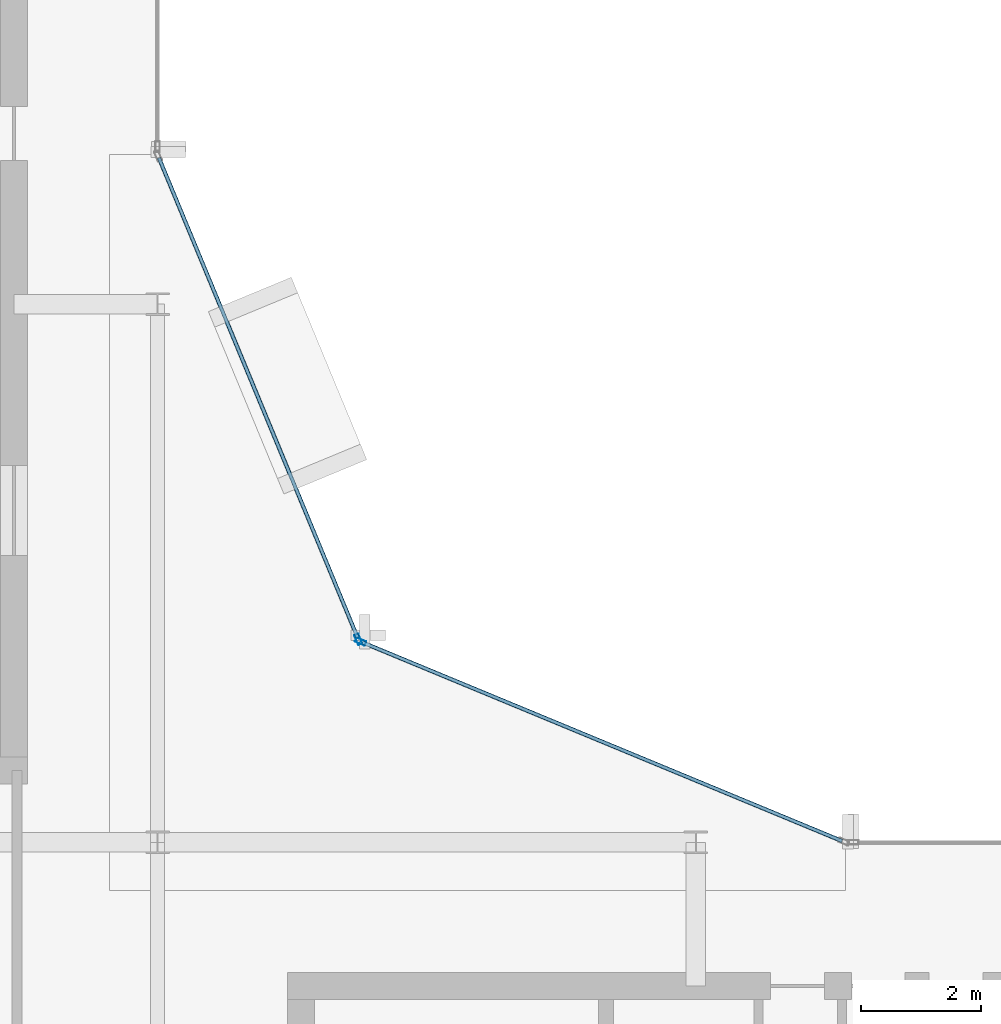
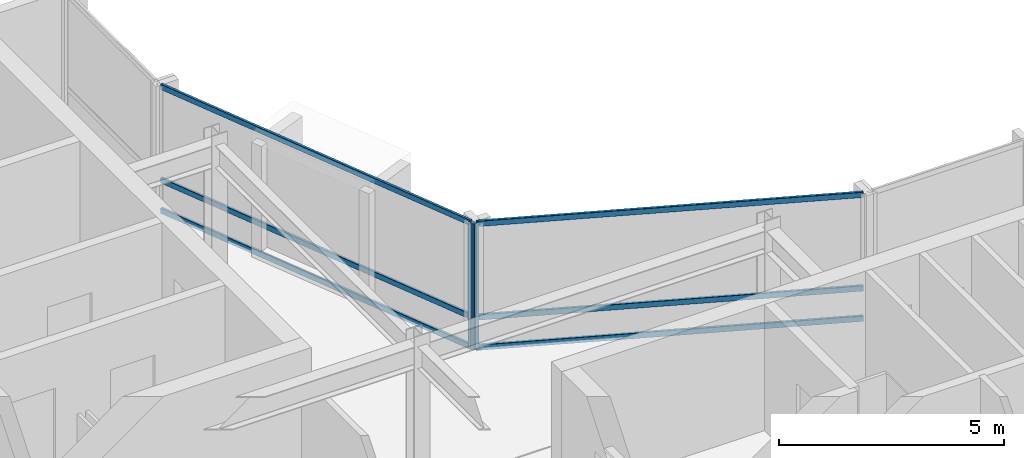
# One storey, part 8 of 19: 8 members, 2 elements without a shape of their own.
"""IFC4 building model written with IfcOpenShell, lengths in metres."""

from ifc_helpers import new_model, si_unit, direction, frame, origin, origin_2d, place, context, subcontext, project, spatial, hollow_rectangle, extrude, material, layer, layer_set, material_profile, profile_set, type_object, element, aggregate, save


model = new_model("IFC4")

# Units and contexts
model_context = context("Model", 3, precision=1e-05, world=origin(), true_north=direction((0.0, 1.0)))
body_context = subcontext(model_context, "Body", "Model", "MODEL_VIEW")
ifc_project = project(units=[si_unit("LENGTHUNIT", "METRE"), si_unit("AREAUNIT", "SQUARE_METRE"), si_unit("VOLUMEUNIT", "CUBIC_METRE"), si_unit("PLANEANGLEUNIT", "RADIAN"), si_unit("MASSUNIT", "GRAM", prefix="KILO")], contexts=[model_context])

# Site, building, storey
site_placement = place(None, origin())
site = spatial("IfcSite", under=ifc_project, at=site_placement, CompositionType="ELEMENT")
building_placement = place(site_placement, origin())
building = spatial("IfcBuilding", under=site, at=building_placement, Name="Solvaryn Broadcast Tower", CompositionType="ELEMENT")
storey_placement = place(building_placement, frame((0.0, 0.0, 270.39990234375)))
storey = spatial("IfcBuildingStorey", under=building, at=storey_placement, Name="L68", CompositionType="ELEMENT", Elevation=270.39990234375)

# Curtain wall, member
ifc_material_1 = material(Name="Aluminium and Terracotta Unitised Curtain Wall", Category="masonry")
ifc_layer = layer(ifc_material_1, 0.199951171875)
ifc_layer_set = layer_set([ifc_layer], Name="CW-SYS2-LOWMID")
curtain_wall_type = type_object("IfcCurtainWallType", Name="CW-SYS2-LOWMID", PredefinedType="NOTDEFINED", material=ifc_layer_set)
curtain_wall_1_placement = place(storey_placement, origin())
curtain_wall_1 = element("IfcCurtainWall", 1, at=curtain_wall_1_placement, inside=storey, type_object=curtain_wall_type, Name="L68 Curtain Wall CN1", PredefinedType="NOTDEFINED")
ifc_material_2 = material(Name="Anodised Aluminium 6063-T6", Category="aluminium")
ifc_material_profile_1 = material_profile(ifc_material_2, hollow_rectangle(XDim=0.074951171875, YDim=0.179931640625, WallThickness=0.00390625, InnerFilletRadius=0.00390625, OuterFilletRadius=0.008056640625, at=origin_2d()))
ifc_profile_set_1 = profile_set([ifc_material_profile_1], Name="Anodised Aluminium 6063-T6")
member_type_1 = type_object("IfcMemberType", Name="CW-MUL-180", PredefinedType="MULLION", material=ifc_profile_set_1)
member_1_placement = place(storey_placement, frame((30.395751953125, 30.3564453125, 0.0), z_axis=(0.0, 0.0, 1.0), x_axis=(-0.382646127145, -0.923894983957, 0.0)))
member_1 = element("IfcMember", 2, at=member_1_placement, type_object=member_type_1, Name="CWS2 mullion 2", PredefinedType="MULLION", context=body_context, shape_type="SweptSolid", body=[
    extrude(hollow_rectangle(XDim=0.074951171875, YDim=0.179931640625, WallThickness=0.00390625, InnerFilletRadius=0.00390625, OuterFilletRadius=0.008056640625, at=origin_2d()), origin(), (0.0, 0.0, 1.0), 3.420166015625),
])

curtain_wall_2_placement = place(storey_placement, origin())
curtain_wall_2 = element("IfcCurtainWall", 3, at=curtain_wall_2_placement, inside=storey, type_object=curtain_wall_type, Name="L68 Curtain Wall CN2", PredefinedType="NOTDEFINED")
member_2_placement = place(storey_placement, frame((30.3564453125, 30.395751953125, 0.0), z_axis=(0.0, 0.0, 1.0), x_axis=(-0.923894983957, -0.382646127145, 0.0)))
member_2 = element("IfcMember", 4, at=member_2_placement, type_object=member_type_1, Name="CWS2 mullion 1", PredefinedType="MULLION", context=body_context, shape_type="SweptSolid", body=[
    extrude(hollow_rectangle(XDim=0.074951171875, YDim=0.179931640625, WallThickness=0.00390625, InnerFilletRadius=0.00390625, OuterFilletRadius=0.008056640625, at=origin_2d()), origin(), (0.0, 0.0, 1.0), 3.420166015625),
])

# Member
ifc_material_3 = material(Name="Anodised Aluminium 6063-T6", Category="aluminium")
ifc_material_profile_2 = material_profile(ifc_material_3, hollow_rectangle(XDim=0.06494140625, YDim=0.14990234375, WallThickness=0.00390625, InnerFilletRadius=0.00390625, OuterFilletRadius=0.008056640625, at=origin_2d()))
ifc_profile_set_2 = profile_set([ifc_material_profile_2], Name="Anodised Aluminium 6063-T6")
member_type_2 = type_object("IfcMemberType", Name="CW-TRN-150", PredefinedType="USERDEFINED", material=ifc_profile_set_2)
member_3_placement = place(storey_placement, frame((38.444580078125, 27.02294921875, 0.030029296875), z_axis=(-0.923899282177, 0.382635748975, 0.0), x_axis=(-0.382635748975, -0.923899282177, 0.0)))
member_3 = element("IfcMember", 5, at=member_3_placement, type_object=member_type_2, Name="CWS2 transom 1.1", ObjectType="TRANSOM", PredefinedType="USERDEFINED", context=body_context, shape_type="SweptSolid", body=[
    extrude(hollow_rectangle(XDim=0.06494140625, YDim=0.14990234375, WallThickness=0.00390625, InnerFilletRadius=0.00390625, OuterFilletRadius=0.008056640625, at=origin_2d()), origin(), (0.0, 0.0, 1.0), 8.681884765625),
])

member_4_placement = place(storey_placement, frame((38.444580078125, 27.02294921875, 0.85009765625), z_axis=(-0.923899282177, 0.382635748975, 0.0), x_axis=(-0.382635748975, -0.923899282177, 0.0)))
member_4 = element("IfcMember", 6, at=member_4_placement, type_object=member_type_2, Name="CWS2 transom 1.2", ObjectType="TRANSOM", PredefinedType="USERDEFINED", context=body_context, shape_type="SweptSolid", body=[
    extrude(hollow_rectangle(XDim=0.06494140625, YDim=0.14990234375, WallThickness=0.00390625, InnerFilletRadius=0.00390625, OuterFilletRadius=0.008056640625, at=origin_2d()), origin(), (0.0, 0.0, 1.0), 8.681884765625),
])

member_5_placement = place(storey_placement, frame((38.444580078125, 27.02294921875, 3.39013671875), z_axis=(-0.923899282177, 0.382635748975, 0.0), x_axis=(-0.382635748975, -0.923899282177, 0.0)))
member_5 = element("IfcMember", 7, at=member_5_placement, type_object=member_type_2, Name="CWS2 transom 1.3", ObjectType="TRANSOM", PredefinedType="USERDEFINED", context=body_context, shape_type="SweptSolid", body=[
    extrude(hollow_rectangle(XDim=0.06494140625, YDim=0.14990234375, WallThickness=0.00390625, InnerFilletRadius=0.00390625, OuterFilletRadius=0.008056640625, at=origin_2d()), origin(), (0.0, 0.0, 1.0), 8.681884765625),
])

aggregate(curtain_wall_1, [member_1, member_3, member_4, member_5])

member_6_placement = place(storey_placement, frame((30.344970703125, 30.42333984375, 0.030029296875), z_axis=(-0.382635748975, 0.923899282177, 0.0), x_axis=(-0.923899282177, -0.382635748975, 0.0)))
member_6 = element("IfcMember", 8, at=member_6_placement, type_object=member_type_2, Name="CWS2 transom 1.1", ObjectType="TRANSOM", PredefinedType="USERDEFINED", context=body_context, shape_type="SweptSolid", body=[
    extrude(hollow_rectangle(XDim=0.06494140625, YDim=0.14990234375, WallThickness=0.00390625, InnerFilletRadius=0.00390625, OuterFilletRadius=0.008056640625, at=origin_2d()), origin(), (0.0, 0.0, 1.0), 8.681884765625),
])

member_7_placement = place(storey_placement, frame((30.344970703125, 30.42333984375, 0.85009765625), z_axis=(-0.382635748975, 0.923899282177, 0.0), x_axis=(-0.923899282177, -0.382635748975, 0.0)))
member_7 = element("IfcMember", 9, at=member_7_placement, type_object=member_type_2, Name="CWS2 transom 1.2", ObjectType="TRANSOM", PredefinedType="USERDEFINED", context=body_context, shape_type="SweptSolid", body=[
    extrude(hollow_rectangle(XDim=0.06494140625, YDim=0.14990234375, WallThickness=0.00390625, InnerFilletRadius=0.00390625, OuterFilletRadius=0.008056640625, at=origin_2d()), origin(), (0.0, 0.0, 1.0), 8.681884765625),
])

member_8_placement = place(storey_placement, frame((30.344970703125, 30.42333984375, 3.39013671875), z_axis=(-0.382635748975, 0.923899282177, 0.0), x_axis=(-0.923899282177, -0.382635748975, 0.0)))
member_8 = element("IfcMember", 10, at=member_8_placement, type_object=member_type_2, Name="CWS2 transom 1.3", ObjectType="TRANSOM", PredefinedType="USERDEFINED", context=body_context, shape_type="SweptSolid", body=[
    extrude(hollow_rectangle(XDim=0.06494140625, YDim=0.14990234375, WallThickness=0.00390625, InnerFilletRadius=0.00390625, OuterFilletRadius=0.008056640625, at=origin_2d()), origin(), (0.0, 0.0, 1.0), 8.681884765625),
])

aggregate(curtain_wall_2, [member_2, member_6, member_7, member_8])

save(model, "model.ifc")
